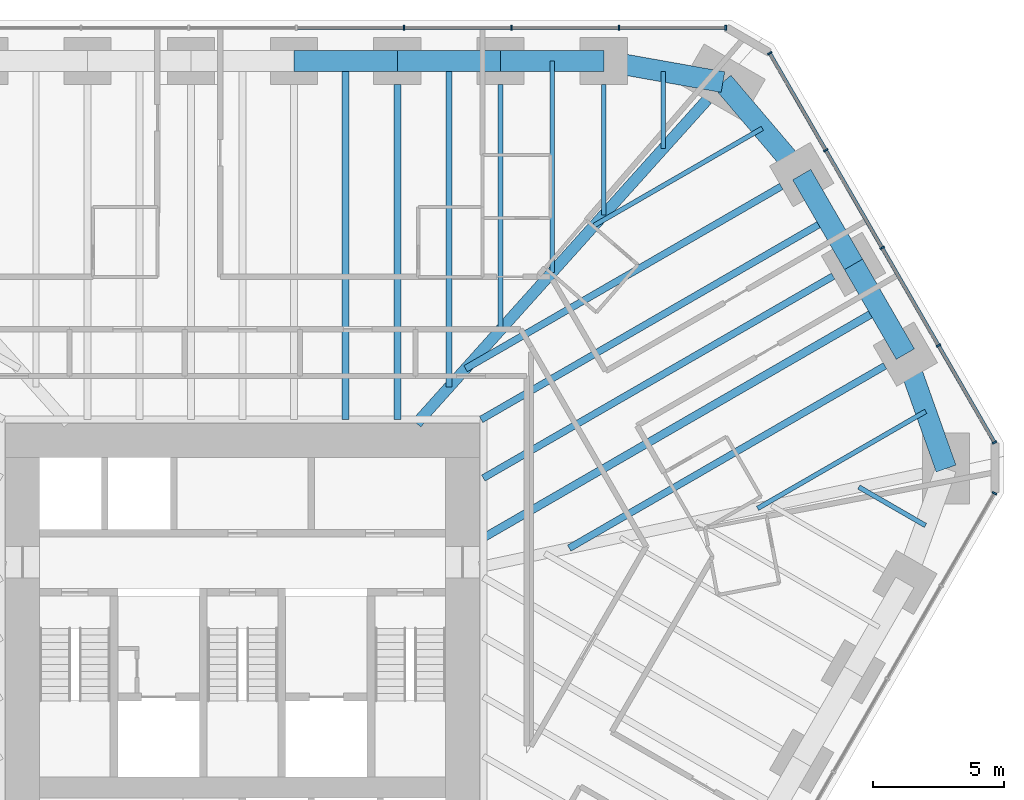
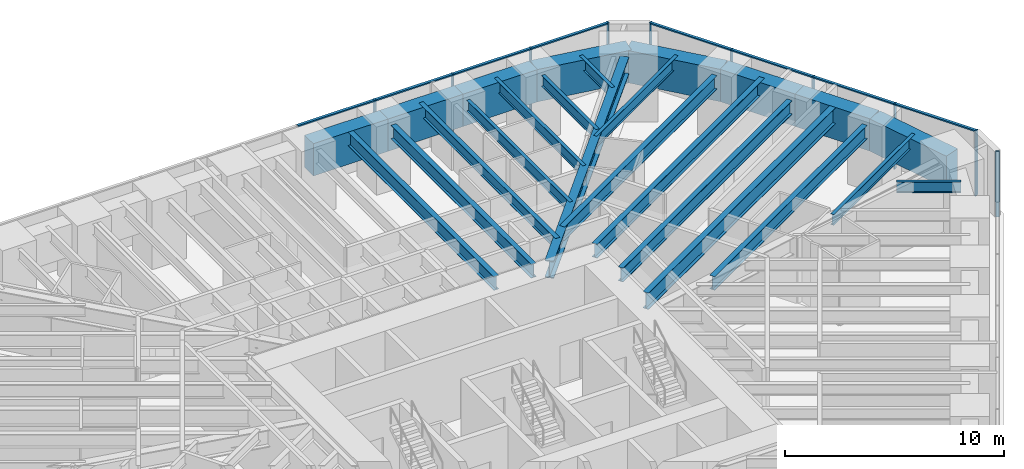
# One storey, part 9 of 17: 24 beams, 18 members, 3 elements without a shape of their own.
"""IFC4 building model written with IfcOpenShell, lengths in metres."""

from ifc_helpers import new_model, si_unit, direction, frame, origin, origin_2d, place, context, subcontext, project, spatial, rectangle, i_section, extrude, material, material_profile, profile_set, type_object, element, aggregate, save


model = new_model("IFC4")

# Units and contexts
model_context = context("Model", 3, precision=1e-05, world=origin(), true_north=direction((0.0, 1.0)))
body_context = subcontext(model_context, "Body", "Model", "MODEL_VIEW")
ifc_project = project(units=[si_unit("LENGTHUNIT", "METRE"), si_unit("AREAUNIT", "SQUARE_METRE"), si_unit("VOLUMEUNIT", "CUBIC_METRE"), si_unit("PLANEANGLEUNIT", "RADIAN"), si_unit("MASSUNIT", "GRAM", prefix="KILO")], contexts=[model_context])

# Site, building, storey
site_placement = place(None, origin())
site = spatial("IfcSite", under=ifc_project, at=site_placement, CompositionType="ELEMENT")
building_placement = place(site_placement, origin())
building = spatial("IfcBuilding", under=site, at=building_placement, Name="Sandreach Pilgrim Tower", CompositionType="ELEMENT")
storey_placement = place(building_placement, frame((0.0, 0.0, 104.39990234375)))
storey = spatial("IfcBuildingStorey", under=building, at=storey_placement, Name="L25", CompositionType="ELEMENT", Elevation=104.39990234375)

# Curtain wall, members
ifc_material_1 = material(Name="Aluminium framed curtain wall", Category="aluminium")
curtain_wall_type = type_object("IfcCurtainWallType", Name="Hotel tower curtain wall", PredefinedType="NOTDEFINED", material=ifc_material_1)
curtain_wall_1_placement = place(storey_placement, origin())
curtain_wall_1 = element("IfcCurtainWall", 1, at=curtain_wall_1_placement, inside=storey, type_object=curtain_wall_type, Name="CW-2 L25 N", PredefinedType="NOTDEFINED")
ifc_material_2 = material(Name="Aluminium extrusion", Category="aluminium")
ifc_material_profile_1 = material_profile(ifc_material_2, rectangle(XDim=0.06494140625, YDim=0.179931640625, at=origin_2d()), Name="CW-2M 65X180")
ifc_profile_set_1 = profile_set([ifc_material_profile_1], Name="Aluminium extrusion")
member_type_1 = type_object("IfcMemberType", Name="CW-2 mullion", PredefinedType="MULLION", material=ifc_profile_set_1)
member_1_placement = place(storey_placement, frame((6.160400390625, 22.493896484375, 0.0), z_axis=(0.0, 0.0, 1.0), x_axis=(1.0, 0.0, 0.0)))
member_1 = element("IfcMember", 2, at=member_1_placement, type_object=member_type_1, Name="CW-2 mullion 7", PredefinedType="MULLION", context=body_context, shape_type="SweptSolid", body=[
    extrude(rectangle(XDim=0.06494140625, YDim=0.179931640625, at=origin_2d()), origin(), (0.0, 0.0, 1.0), 3.64013671875),
])
member_2_placement = place(storey_placement, frame((10.267333984375, 22.493896484375, 0.0), z_axis=(0.0, 0.0, 1.0), x_axis=(1.0, 0.0, 0.0)))
member_2 = element("IfcMember", 3, at=member_2_placement, type_object=member_type_1, Name="CW-2 mullion 8", PredefinedType="MULLION", context=body_context, shape_type="SweptSolid", body=[
    extrude(rectangle(XDim=0.06494140625, YDim=0.179931640625, at=origin_2d()), origin(), (0.0, 0.0, 1.0), 3.64013671875),
])
member_3_placement = place(storey_placement, frame((14.37451171875, 22.493896484375, 0.0), z_axis=(0.0, 0.0, 1.0), x_axis=(1.0, 0.0, 0.0)))
member_3 = element("IfcMember", 4, at=member_3_placement, type_object=member_type_1, Name="CW-2 mullion 9", PredefinedType="MULLION", context=body_context, shape_type="SweptSolid", body=[
    extrude(rectangle(XDim=0.06494140625, YDim=0.179931640625, at=origin_2d()), origin(), (0.0, 0.0, 1.0), 3.64013671875),
])
member_4_placement = place(storey_placement, frame((18.448974609375, 22.493896484375, 0.0), z_axis=(0.0, 0.0, 1.0), x_axis=(1.0, 0.0, 0.0)))
member_4 = element("IfcMember", 5, at=member_4_placement, type_object=member_type_1, Name="CW-2 mullion 10", PredefinedType="MULLION", context=body_context, shape_type="SweptSolid", body=[
    extrude(rectangle(XDim=0.06494140625, YDim=0.179931640625, at=origin_2d()), origin(), (0.0, 0.0, 1.0), 3.64013671875),
])

curtain_wall_2_placement = place(storey_placement, origin())
curtain_wall_2 = element("IfcCurtainWall", 6, at=curtain_wall_2_placement, inside=storey, type_object=curtain_wall_type, Name="CW-2 L25 NE", PredefinedType="NOTDEFINED")
member_5_placement = place(storey_placement, frame((20.125732421875, 21.525634765625, 0.0), z_axis=(0.0, 0.0, 1.0), x_axis=(0.5, -0.866025403784, 0.0)))
member_5 = element("IfcMember", 7, at=member_5_placement, type_object=member_type_1, Name="CW-2 mullion 1", PredefinedType="MULLION", context=body_context, shape_type="SweptSolid", body=[
    extrude(rectangle(XDim=0.06494140625, YDim=0.179931640625, at=origin_2d()), origin(), (0.0, 0.0, 1.0), 3.64013671875),
])
member_6_placement = place(storey_placement, frame((22.262451171875, 17.824951171875, 0.0), z_axis=(0.0, 0.0, 1.0), x_axis=(0.5, -0.866025403784, 0.0)))
member_6 = element("IfcMember", 8, at=member_6_placement, type_object=member_type_1, Name="CW-2 mullion 2", PredefinedType="MULLION", context=body_context, shape_type="SweptSolid", body=[
    extrude(rectangle(XDim=0.06494140625, YDim=0.179931640625, at=origin_2d()), origin(), (0.0, 0.0, 1.0), 3.64013671875),
])
member_7_placement = place(storey_placement, frame((24.415283203125, 14.09619140625, 0.0), z_axis=(0.0, 0.0, 1.0), x_axis=(0.5, -0.866025403784, 0.0)))
member_7 = element("IfcMember", 9, at=member_7_placement, type_object=member_type_1, Name="CW-2 mullion 3", PredefinedType="MULLION", context=body_context, shape_type="SweptSolid", body=[
    extrude(rectangle(XDim=0.06494140625, YDim=0.179931640625, at=origin_2d()), origin(), (0.0, 0.0, 1.0), 3.64013671875),
])
member_8_placement = place(storey_placement, frame((26.568115234375, 10.3671875, 0.0), z_axis=(0.0, 0.0, 1.0), x_axis=(0.5, -0.866025403784, 0.0)))
member_8 = element("IfcMember", 10, at=member_8_placement, type_object=member_type_1, Name="CW-2 mullion 4", PredefinedType="MULLION", context=body_context, shape_type="SweptSolid", body=[
    extrude(rectangle(XDim=0.06494140625, YDim=0.179931640625, at=origin_2d()), origin(), (0.0, 0.0, 1.0), 3.64013671875),
])
member_9_placement = place(storey_placement, frame((28.70458984375, 6.66650390625, 0.0), z_axis=(0.0, 0.0, 1.0), x_axis=(0.5, -0.866025403784, 0.0)))
member_9 = element("IfcMember", 11, at=member_9_placement, type_object=member_type_1, Name="CW-2 mullion 5", PredefinedType="MULLION", context=body_context, shape_type="SweptSolid", body=[
    extrude(rectangle(XDim=0.06494140625, YDim=0.179931640625, at=origin_2d()), origin(), (0.0, 0.0, 1.0), 3.64013671875),
])

# Curtain wall, member
curtain_wall_3_placement = place(storey_placement, origin())
curtain_wall_3 = element("IfcCurtainWall", 12, at=curtain_wall_3_placement, inside=storey, type_object=curtain_wall_type, Name="CW-2 L25 SE", PredefinedType="NOTDEFINED")
member_10_placement = place(storey_placement, frame((28.70458984375, 4.730224609375, 0.0), z_axis=(0.0, 0.0, 1.0), x_axis=(-0.5, -0.866025403784, 0.0)))
member_10 = element("IfcMember", 13, at=member_10_placement, type_object=member_type_1, Name="CW-2 mullion 1", PredefinedType="MULLION", context=body_context, shape_type="SweptSolid", body=[
    extrude(rectangle(XDim=0.06494140625, YDim=0.179931640625, at=origin_2d()), origin(), (0.0, 0.0, 1.0), 3.64013671875),
])
aggregate(curtain_wall_3, [member_10])

# Member
ifc_material_3 = material(Name="Aluminium extrusion", Category="aluminium")
ifc_material_profile_2 = material_profile(ifc_material_3, rectangle(XDim=0.139892578125, YDim=0.070068359375, at=origin_2d()), Name="CW-2T 140X70")
ifc_profile_set_2 = profile_set([ifc_material_profile_2], Name="Aluminium extrusion")
member_type_2 = type_object("IfcMemberType", Name="CW-2 transom", PredefinedType="USERDEFINED", material=ifc_profile_set_2)
member_11_placement = place(storey_placement, frame((2.0859375, 22.493896484375, 3.60498046875), z_axis=(1.0, 0.0, 0.0), x_axis=(0.0, 1.0, 0.0)))
member_11 = element("IfcMember", 14, at=member_11_placement, type_object=member_type_2, Name="CW-2 head transom 6", ObjectType="TRANSOM", PredefinedType="USERDEFINED", context=body_context, shape_type="SweptSolid", body=[
    extrude(rectangle(XDim=0.139892578125, YDim=0.070068359375, at=origin_2d()), origin(), (0.0, 0.0, 1.0), 4.0419921875),
])

member_12_placement = place(storey_placement, frame((6.19287109375, 22.493896484375, 3.60498046875), z_axis=(1.0, 0.0, 0.0), x_axis=(0.0, 1.0, 0.0)))
member_12 = element("IfcMember", 15, at=member_12_placement, type_object=member_type_2, Name="CW-2 head transom 7", ObjectType="TRANSOM", PredefinedType="USERDEFINED", context=body_context, shape_type="SweptSolid", body=[
    extrude(rectangle(XDim=0.139892578125, YDim=0.070068359375, at=origin_2d()), origin(), (0.0, 0.0, 1.0), 4.0419921875),
])

member_13_placement = place(storey_placement, frame((10.300048828125, 22.493896484375, 3.60498046875), z_axis=(1.0, 0.0, 0.0), x_axis=(0.0, 1.0, 0.0)))
member_13 = element("IfcMember", 16, at=member_13_placement, type_object=member_type_2, Name="CW-2 head transom 8", ObjectType="TRANSOM", PredefinedType="USERDEFINED", context=body_context, shape_type="SweptSolid", body=[
    extrude(rectangle(XDim=0.139892578125, YDim=0.070068359375, at=origin_2d()), origin(), (0.0, 0.0, 1.0), 4.041748046875),
])

member_14_placement = place(storey_placement, frame((14.406982421875, 22.493896484375, 3.60498046875), z_axis=(1.0, 0.0, 0.0), x_axis=(0.0, 1.0, 0.0)))
member_14 = element("IfcMember", 17, at=member_14_placement, type_object=member_type_2, Name="CW-2 head transom 9", ObjectType="TRANSOM", PredefinedType="USERDEFINED", context=body_context, shape_type="SweptSolid", body=[
    extrude(rectangle(XDim=0.139892578125, YDim=0.070068359375, at=origin_2d()), origin(), (0.0, 0.0, 1.0), 4.00927734375),
])

aggregate(curtain_wall_1, [member_1, member_2, member_3, member_4, member_11, member_12, member_13, member_14])

member_15_placement = place(storey_placement, frame((20.14208984375, 21.49755859375, 3.60498046875), z_axis=(0.49997020258, -0.86604260665, 0.0), x_axis=(0.86604260665, 0.49997020258, 0.0)))
member_15 = element("IfcMember", 18, at=member_15_placement, type_object=member_type_2, Name="CW-2 head transom 1", ObjectType="TRANSOM", PredefinedType="USERDEFINED", context=body_context, shape_type="SweptSolid", body=[
    extrude(rectangle(XDim=0.139892578125, YDim=0.070068359375, at=origin_2d()), origin(), (0.0, 0.0, 1.0), 4.208251953125),
])

member_16_placement = place(storey_placement, frame((22.278564453125, 17.796875, 3.60498046875), z_axis=(0.499996541496, -0.866027400544, 0.0), x_axis=(0.866027400544, 0.499996541496, 0.0)))
member_16 = element("IfcMember", 19, at=member_16_placement, type_object=member_type_2, Name="CW-2 head transom 2", ObjectType="TRANSOM", PredefinedType="USERDEFINED", context=body_context, shape_type="SweptSolid", body=[
    extrude(rectangle(XDim=0.139892578125, YDim=0.070068359375, at=origin_2d()), origin(), (0.0, 0.0, 1.0), 4.24072265625),
])

member_17_placement = place(storey_placement, frame((24.431396484375, 14.06787109375, 3.60498046875), z_axis=(0.500021471012, -0.866013007135, 0.0), x_axis=(0.866013007135, 0.500021471012, 0.0)))
member_17 = element("IfcMember", 20, at=member_17_placement, type_object=member_type_2, Name="CW-2 head transom 3", ObjectType="TRANSOM", PredefinedType="USERDEFINED", context=body_context, shape_type="SweptSolid", body=[
    extrude(rectangle(XDim=0.139892578125, YDim=0.070068359375, at=origin_2d()), origin(), (0.0, 0.0, 1.0), 4.240478515625),
])

member_18_placement = place(storey_placement, frame((26.584228515625, 10.339111328125, 3.60498046875), z_axis=(0.500038835258, -0.866002981077, 0.0), x_axis=(0.866002981077, 0.500038835258, 0.0)))
member_18 = element("IfcMember", 21, at=member_18_placement, type_object=member_type_2, Name="CW-2 head transom 4", ObjectType="TRANSOM", PredefinedType="USERDEFINED", context=body_context, shape_type="SweptSolid", body=[
    extrude(rectangle(XDim=0.139892578125, YDim=0.070068359375, at=origin_2d()), origin(), (0.0, 0.0, 1.0), 4.208251953125),
])

aggregate(curtain_wall_2, [member_5, member_6, member_7, member_8, member_9, member_15, member_16, member_17, member_18])

# Beams
ifc_material_4 = material(Name="Steel ASTM A992 Grade 50", Category="steel")
ifc_material_profile_3 = material_profile(ifc_material_4, i_section(OverallWidth=0.424072265625, OverallDepth=0.965087890625, WebThickness=0.028564453125, FlangeThickness=0.051025390625, at=origin_2d()), Name="W36X361")
ifc_profile_set_3 = profile_set([ifc_material_profile_3], Name="Steel ASTM A992 Grade 50")
beam_type_1 = type_object("IfcBeamType", Name="Corner girder W36X361", PredefinedType="BEAM", material=ifc_profile_set_3)
beam_1_placement = place(storey_placement, frame((17.738037109375, 19.754150390625, 3.157470703125), z_axis=(-0.66811374471, -0.74405915365, 0.0), x_axis=(0.74405915365, -0.66811374471, 0.0)))
element("IfcBeam", 22, at=beam_1_placement, inside=storey, type_object=beam_type_1, Name="BM L25 CG09", PredefinedType="BEAM", context=body_context, shape_type="SweptSolid", body=[
    extrude(i_section(OverallWidth=0.424072265625, OverallDepth=0.965087890625, WebThickness=0.028564453125, FlangeThickness=0.051025390625, at=origin_2d()), origin(), (0.0, 0.0, 1.0), 16.603759765625),
])
ifc_material_5 = material(Name="Steel ASTM A992 Grade 50", Category="steel")
ifc_material_profile_4 = material_profile(ifc_material_5, i_section(OverallWidth=0.1787109375, OverallDepth=0.60205078125, WebThickness=0.010986328125, FlangeThickness=0.014892578125, at=origin_2d()), Name="W24X62")
ifc_profile_set_4 = profile_set([ifc_material_profile_4], Name="Steel ASTM A992 Grade 50")
beam_type_2 = type_object("IfcBeamType", Name="Floor beam W24X62", PredefinedType="BEAM", material=ifc_profile_set_4)
beam_2_placement = place(storey_placement, frame((9.849853515625, 20.333740234375, 3.339111328125), z_axis=(0.0, -1.0, 0.0), x_axis=(1.0, 0.0, 0.0)))
element("IfcBeam", 23, at=beam_2_placement, inside=storey, type_object=beam_type_2, Name="BM L25 F07", PredefinedType="BEAM", context=body_context, shape_type="SweptSolid", body=[
    extrude(i_section(OverallWidth=0.1787109375, OverallDepth=0.60205078125, WebThickness=0.010986328125, FlangeThickness=0.014892578125, at=origin_2d()), origin(), (0.0, 0.0, 1.0), 9.3642578125),
])
beam_3_placement = place(storey_placement, frame((13.789794921875, 20.333740234375, 3.339111328125), z_axis=(0.0, -1.0, 0.0), x_axis=(1.0, 0.0, 0.0)))
element("IfcBeam", 24, at=beam_3_placement, inside=storey, type_object=beam_type_2, Name="BM L25 F08", PredefinedType="BEAM", context=body_context, shape_type="SweptSolid", body=[
    extrude(i_section(OverallWidth=0.1787109375, OverallDepth=0.60205078125, WebThickness=0.010986328125, FlangeThickness=0.014892578125, at=origin_2d()), origin(), (0.0, 0.0, 1.0), 4.9765625),
])
beam_4_placement = place(storey_placement, frame((11.81982421875, 21.23388671875, 3.339111328125), z_axis=(0.0, -1.0, 0.0), x_axis=(1.0, 0.0, 0.0)))
element("IfcBeam", 25, at=beam_4_placement, inside=storey, type_object=beam_type_2, Name="BM L25 FM07", PredefinedType="BEAM", context=body_context, shape_type="SweptSolid", body=[
    extrude(i_section(OverallWidth=0.1787109375, OverallDepth=0.60205078125, WebThickness=0.010986328125, FlangeThickness=0.014892578125, at=origin_2d()), origin(), (0.0, 0.0, 1.0), 8.070556640625),
])
beam_5_placement = place(storey_placement, frame((16.064697265625, 20.828857421875, 3.339111328125), z_axis=(0.0, -1.0, 0.0), x_axis=(1.0, 0.0, 0.0)))
element("IfcBeam", 26, at=beam_5_placement, inside=storey, type_object=beam_type_2, Name="BM L25 FM08", PredefinedType="BEAM", context=body_context, shape_type="SweptSolid", body=[
    extrude(i_section(OverallWidth=0.1787109375, OverallDepth=0.60205078125, WebThickness=0.010986328125, FlangeThickness=0.014892578125, at=origin_2d()), origin(), (0.0, 0.0, 1.0), 2.938232421875),
])
for number, where, z_axis, x_axis, name in (
    (27, (19.8427734375, 18.65771484375, 3.339111328125), (-0.866025875064, -0.499999183719, 0.0), (0.499999183719, -0.866025875064, 0.0), "BM L25 FM09"),
    (28, (26.079345703125, 7.855712890625, 3.339111328125), (-0.866025875064, -0.499999183719, 0.0), (0.499999183719, -0.866025875064, 0.0), "BM L25 FM12"),
):
    element("IfcBeam", number, at=place(storey_placement, frame(where, z_axis=z_axis, x_axis=x_axis)), inside=storey, type_object=beam_type_2, Name=name, PredefinedType="BEAM", context=body_context, shape_type="SweptSolid", body=[
        extrude(i_section(OverallWidth=0.1787109375, OverallDepth=0.60205078125, WebThickness=0.010986328125, FlangeThickness=0.014892578125, at=origin_2d()), origin(), (0.0, 0.0, 1.0), 7.40771484375),
    ])
beam_6_placement = place(storey_placement, frame((26.070556640625, 3.498046875, 3.339111328125), z_axis=(-0.866051374412, 0.499955014855, 0.0), x_axis=(-0.499955014855, -0.866051374412, 0.0)))
element("IfcBeam", 29, at=beam_6_placement, inside=storey, type_object=beam_type_2, Name="BM L25 FM13", PredefinedType="BEAM", context=body_context, shape_type="SweptSolid", body=[
    extrude(i_section(OverallWidth=0.1787109375, OverallDepth=0.60205078125, WebThickness=0.010986328125, FlangeThickness=0.014892578125, at=origin_2d()), origin(), (0.0, 0.0, 1.0), 2.938232421875),
])
ifc_material_6 = material(Name="Steel ASTM A992 Grade 50", Category="steel")
ifc_material_profile_5 = material_profile(ifc_material_6, i_section(OverallWidth=0.23046875, OverallDepth=0.6171875, WebThickness=0.01318359375, FlangeThickness=0.022216796875, at=origin_2d()), Name="W24X94")
ifc_profile_set_5 = profile_set([ifc_material_profile_5], Name="Steel ASTM A992 Grade 50")
beam_type_3 = type_object("IfcBeamType", Name="Floor beam W24X94", PredefinedType="BEAM", material=ifc_profile_set_5)
beam_7_placement = place(storey_placement, frame((7.8798828125, 21.23388671875, 3.33154296875), z_axis=(0.0, -1.0, 0.0), x_axis=(1.0, 0.0, 0.0)))
element("IfcBeam", 30, at=beam_7_placement, inside=storey, type_object=beam_type_3, Name="BM L25 FM06", PredefinedType="BEAM", context=body_context, shape_type="SweptSolid", body=[
    extrude(i_section(OverallWidth=0.23046875, OverallDepth=0.6171875, WebThickness=0.01318359375, FlangeThickness=0.022216796875, at=origin_2d()), origin(), (0.0, 0.0, 1.0), 12.458251953125),
])
ifc_material_7 = material(Name="Steel ASTM A992 Grade 50", Category="steel")
ifc_material_profile_6 = material_profile(ifc_material_7, i_section(OverallWidth=0.2666015625, OverallDepth=0.761962890625, WebThickness=0.014404296875, FlangeThickness=0.021484375, at=origin_2d()), Name="W30X116")
ifc_profile_set_6 = profile_set([ifc_material_profile_6], Name="Steel ASTM A992 Grade 50")
beam_type_4 = type_object("IfcBeamType", Name="Floor beam W30X116", PredefinedType="BEAM", material=ifc_profile_set_6)
beam_8_placement = place(storey_placement, frame((5.909912109375, 20.333740234375, 3.259033203125), z_axis=(0.0, -1.0, 0.0), x_axis=(1.0, 0.0, 0.0)))
element("IfcBeam", 31, at=beam_8_placement, inside=storey, type_object=beam_type_4, Name="BM L25 F06", PredefinedType="BEAM", context=body_context, shape_type="SweptSolid", body=[
    extrude(i_section(OverallWidth=0.2666015625, OverallDepth=0.761962890625, WebThickness=0.014404296875, FlangeThickness=0.021484375, at=origin_2d()), origin(), (0.0, 0.0, 1.0), 12.790283203125),
])
beam_9_placement = place(storey_placement, frame((20.56689453125, 16.44140625, 3.259033203125), z_axis=(-0.866022263426, -0.500005439221, 0.0), x_axis=(0.500005439221, -0.866022263426, 0.0)))
element("IfcBeam", 32, at=beam_9_placement, inside=storey, type_object=beam_type_4, Name="BM L25 F10", PredefinedType="BEAM", context=body_context, shape_type="SweptSolid", body=[
    extrude(i_section(OverallWidth=0.2666015625, OverallDepth=0.761962890625, WebThickness=0.014404296875, FlangeThickness=0.021484375, at=origin_2d()), origin(), (0.0, 0.0, 1.0), 13.915283203125),
])
beam_10_placement = place(storey_placement, frame((24.522216796875, 9.5908203125, 3.259033203125), z_axis=(-0.866026649588, -0.499997842199, 0.0), x_axis=(0.499997842199, -0.866026649588, 0.0)))
element("IfcBeam", 33, at=beam_10_placement, inside=storey, type_object=beam_type_4, Name="BM L25 F12", PredefinedType="BEAM", context=body_context, shape_type="SweptSolid", body=[
    extrude(i_section(OverallWidth=0.2666015625, OverallDepth=0.761962890625, WebThickness=0.014404296875, FlangeThickness=0.021484375, at=origin_2d()), origin(), (0.0, 0.0, 1.0), 13.91552734375),
])
beam_11_placement = place(storey_placement, frame((3.93994140625, 21.23388671875, 3.259033203125), z_axis=(0.0, -1.0, 0.0), x_axis=(1.0, 0.0, 0.0)))
element("IfcBeam", 34, at=beam_11_placement, inside=storey, type_object=beam_type_4, Name="BM L25 FM05", PredefinedType="BEAM", context=body_context, shape_type="SweptSolid", body=[
    extrude(i_section(OverallWidth=0.2666015625, OverallDepth=0.761962890625, WebThickness=0.014404296875, FlangeThickness=0.021484375, at=origin_2d()), origin(), (0.0, 0.0, 1.0), 13.6904296875),
])
ifc_material_8 = material(Name="Steel ASTM A992 Grade 50", Category="steel")
ifc_material_profile_7 = material_profile(ifc_material_8, i_section(OverallWidth=0.2666015625, OverallDepth=0.77978515625, WebThickness=0.0166015625, FlangeThickness=0.030029296875, at=origin_2d()), Name="W30X148")
ifc_profile_set_7 = profile_set([ifc_material_profile_7], Name="Steel ASTM A992 Grade 50")
beam_type_5 = type_object("IfcBeamType", Name="Floor beam W30X148", PredefinedType="BEAM", material=ifc_profile_set_7)
beam_12_placement = place(storey_placement, frame((22.544677734375, 13.01611328125, 3.250244140625), z_axis=(-0.866029203842, -0.49999341805, 0.0), x_axis=(0.49999341805, -0.866029203842, 0.0)))
element("IfcBeam", 35, at=beam_12_placement, inside=storey, type_object=beam_type_5, Name="BM L25 F11", PredefinedType="BEAM", context=body_context, shape_type="SweptSolid", body=[
    extrude(i_section(OverallWidth=0.2666015625, OverallDepth=0.77978515625, WebThickness=0.0166015625, FlangeThickness=0.030029296875, at=origin_2d()), origin(), (0.0, 0.0, 1.0), 15.416748046875),
])
beam_13_placement = place(storey_placement, frame((22.335205078125, 15.1787109375, 3.250244140625), z_axis=(-0.866028773314, -0.499994163758, 0.0), x_axis=(0.499994163758, -0.866028773314, 0.0)))
element("IfcBeam", 36, at=beam_13_placement, inside=storey, type_object=beam_type_5, Name="BM L25 FM10", PredefinedType="BEAM", context=body_context, shape_type="SweptSolid", body=[
    extrude(i_section(OverallWidth=0.2666015625, OverallDepth=0.77978515625, WebThickness=0.0166015625, FlangeThickness=0.030029296875, at=origin_2d()), origin(), (0.0, 0.0, 1.0), 15.270751953125),
])
ifc_material_9 = material(Name="Steel ASTM A992 Grade 50", Category="steel")
ifc_material_profile_8 = material_profile(ifc_material_9, i_section(OverallWidth=0.3046875, OverallDepth=0.914306640625, WebThickness=0.0166015625, FlangeThickness=0.02587890625, at=origin_2d()), Name="W36X160")
ifc_profile_set_8 = profile_set([ifc_material_profile_8], Name="Steel ASTM A992 Grade 50")
beam_type_6 = type_object("IfcBeamType", Name="Floor beam W36X160", PredefinedType="BEAM", material=ifc_profile_set_8)
beam_14_placement = place(storey_placement, frame((24.312744140625, 11.75341796875, 3.182861328125), z_axis=(-0.866023737483, -0.500002886107, 0.0), x_axis=(0.500002886107, -0.866023737483, 0.0)))
element("IfcBeam", 37, at=beam_14_placement, inside=storey, type_object=beam_type_6, Name="BM L25 FM11", PredefinedType="BEAM", context=body_context, shape_type="SweptSolid", body=[
    extrude(i_section(OverallWidth=0.3046875, OverallDepth=0.914306640625, WebThickness=0.0166015625, FlangeThickness=0.02587890625, at=origin_2d()), origin(), (0.0, 0.0, 1.0), 17.45849609375),
])
ifc_material_10 = material(Name="Concrete 10000 psi", Category="concrete")
ifc_material_profile_9 = material_profile(ifc_material_10, rectangle(XDim=0.800048828125, YDim=1.800048828125, at=origin_2d()), Name="RC800X1800")
ifc_profile_set_9 = profile_set([ifc_material_profile_9], Name="Concrete 10000 psi")
beam_type_7 = type_object("IfcBeamType", Name="Spandrel beam RC800X1800", PredefinedType="SPANDREL", material=ifc_profile_set_9)
for number, where, z_axis, x_axis, name in (
    (38, (1.969970703125, 21.23388671875, 2.739990234375), (1.0, 0.0, 0.0), (0.0, 1.0, 0.0), "BM L25 SP05"),
    (39, (5.909912109375, 21.23388671875, 2.739990234375), (1.0, 0.0, 0.0), (0.0, 1.0, 0.0), "BM L25 SP06"),
    (40, (9.849853515625, 21.23388671875, 2.739990234375), (1.0, 0.0, 0.0), (0.0, 1.0, 0.0), "BM L25 SP07"),
):
    element("IfcBeam", number, at=place(storey_placement, frame(where, z_axis=z_axis, x_axis=x_axis)), inside=storey, type_object=beam_type_7, Name=name, PredefinedType="SPANDREL", context=body_context, shape_type="SweptSolid", body=[
        extrude(rectangle(XDim=0.800048828125, YDim=1.800048828125, at=origin_2d()), origin(), (0.0, 0.0, 1.0), 3.93994140625),
    ])
beam_15_placement = place(storey_placement, frame((13.789794921875, 21.23388671875, 2.739990234375), z_axis=(0.984515938739, -0.175295083699, 0.0), x_axis=(0.175295083699, 0.984515938739, 0.0)))
element("IfcBeam", 41, at=beam_15_placement, inside=storey, type_object=beam_type_7, Name="BM L25 SP08", PredefinedType="SPANDREL", context=body_context, shape_type="SweptSolid", body=[
    extrude(rectangle(XDim=0.800048828125, YDim=1.800048828125, at=origin_2d()), origin(), (0.0, 0.0, 1.0), 4.62109375),
])
beam_16_placement = place(storey_placement, frame((18.33935546875, 20.423828125, 2.739990234375), z_axis=(0.648208888384, -0.761462564425, 0.0), x_axis=(0.761462564425, 0.648208888384, 0.0)))
element("IfcBeam", 42, at=beam_16_placement, inside=storey, type_object=beam_type_7, Name="BM L25 SP09", PredefinedType="SPANDREL", context=body_context, shape_type="SweptSolid", body=[
    extrude(rectangle(XDim=0.800048828125, YDim=1.800048828125, at=origin_2d()), origin(), (0.0, 0.0, 1.0), 4.63916015625),
])
for number, where, z_axis, x_axis, name in (
    (43, (21.346435546875, 16.891357421875, 2.739990234375), (0.499989616998, -0.866031398331, 0.0), (0.866031398331, 0.499989616998, 0.0), "BM L25 SP10"),
    (44, (23.323974609375, 13.466064453125, 2.739990234375), (0.499989616998, -0.866031398331, 0.0), (0.866031398331, 0.499989616998, 0.0), "BM L25 SP11"),
):
    element("IfcBeam", number, at=place(storey_placement, frame(where, z_axis=z_axis, x_axis=x_axis)), inside=storey, type_object=beam_type_7, Name=name, PredefinedType="SPANDREL", context=body_context, shape_type="SweptSolid", body=[
        extrude(rectangle(XDim=0.800048828125, YDim=1.800048828125, at=origin_2d()), origin(), (0.0, 0.0, 1.0), 3.955078125),
    ])
beam_17_placement = place(storey_placement, frame((25.301513671875, 10.040771484375, 2.739990234375), z_axis=(0.335346041399, -0.942095023083, 0.0), x_axis=(0.942095023083, 0.335346041399, 0.0)))
element("IfcBeam", 45, at=beam_17_placement, inside=storey, type_object=beam_type_7, Name="BM L25 SP12", PredefinedType="SPANDREL", context=body_context, shape_type="SweptSolid", body=[
    extrude(rectangle(XDim=0.800048828125, YDim=1.800048828125, at=origin_2d()), origin(), (0.0, 0.0, 1.0), 4.638916015625),
])

save(model, "model.ifc")
